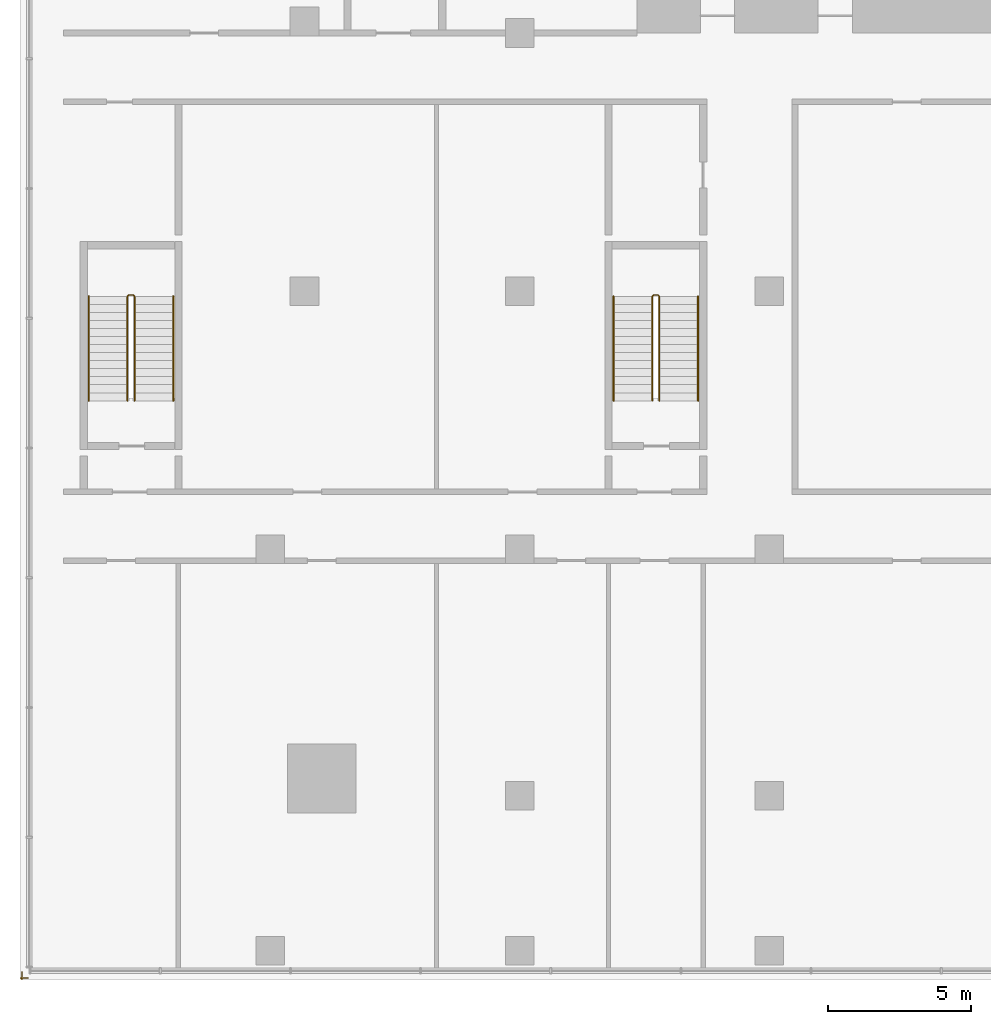
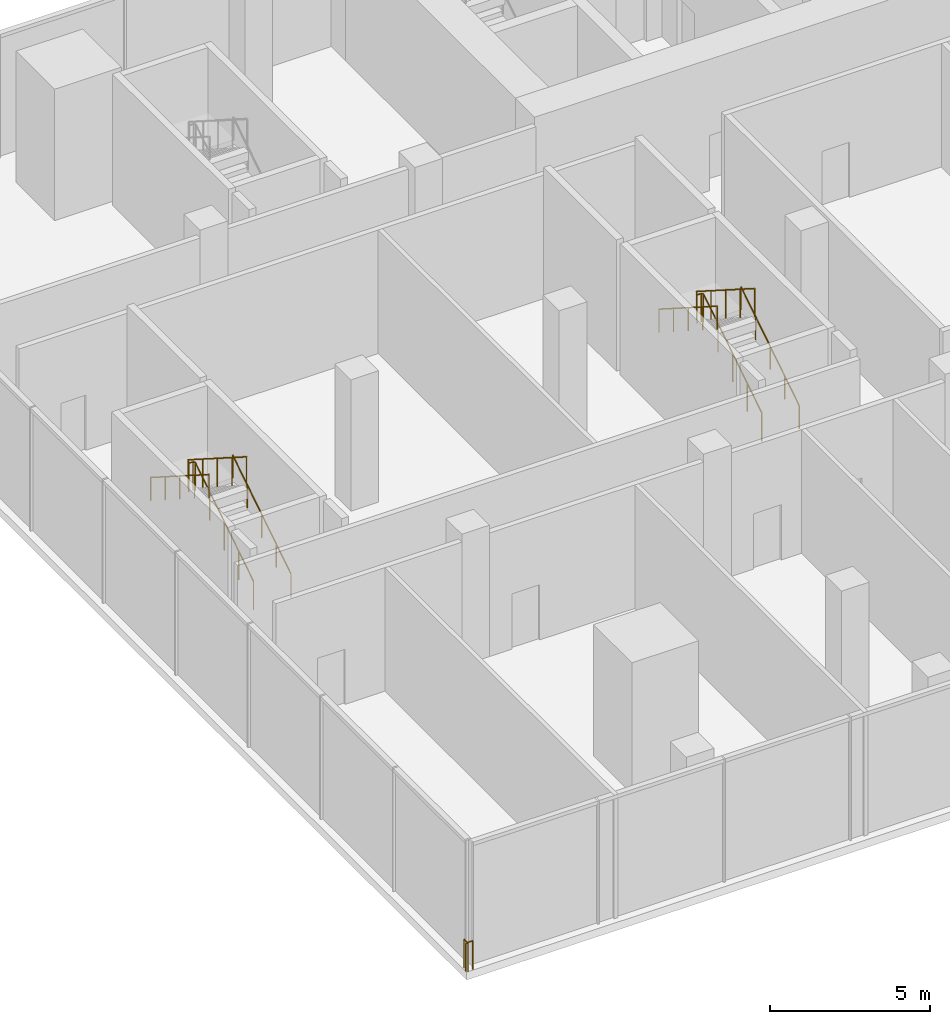
# One storey, part 17 of 20: 7 railings.
"""IFC4 building model written with IfcOpenShell, lengths in metres."""

from ifc_helpers import new_model, si_unit, direction, frame, origin, origin_2d, place, context, subcontext, project, spatial, circle, extrude, material, type_object, element, save


model = new_model("IFC4")

# Units and contexts
model_context = context("Model", 3, precision=1e-05, world=origin(), true_north=direction((0.0, 1.0)))
body_context = subcontext(model_context, "Body", "Model", "MODEL_VIEW")
ifc_project = project(units=[si_unit("LENGTHUNIT", "METRE"), si_unit("AREAUNIT", "SQUARE_METRE"), si_unit("VOLUMEUNIT", "CUBIC_METRE"), si_unit("PLANEANGLEUNIT", "RADIAN"), si_unit("MASSUNIT", "GRAM", prefix="KILO")], contexts=[model_context])

# Site, building, storey
site_placement = place(None, origin())
site = spatial("IfcSite", under=ifc_project, at=site_placement, CompositionType="ELEMENT")
building_placement = place(site_placement, origin())
building = spatial("IfcBuilding", under=site, at=building_placement, Name="Bicima Exchange Tower", CompositionType="ELEMENT")
storey_placement = place(building_placement, frame((0.0, 0.0, 25.0)))
storey = spatial("IfcBuildingStorey", under=building, at=storey_placement, Name="L04", CompositionType="ELEMENT", Elevation=25.0)

# Railings
ifc_material_1 = material(Name="Stainless steel and bonded safety glass", Category="steel")
railing_type_1 = type_object("IfcRailingType", Name="Edge guard 1100", PredefinedType="GUARDRAIL", material=ifc_material_1)
railing_1_placement = place(storey_placement, frame((-43.25, -45.949951171875, 0.0)))
element("IfcRailing", 1, at=railing_1_placement, inside=storey, type_object=railing_type_1, Name="Edge guard L04 16", PredefinedType="GUARDRAIL", context=body_context, shape_type="SweptSolid", body=[
    extrude(circle(Radius=0.02392578125, at=origin_2d()), frame((0.0, 0.0, 1.076171875), z_axis=(-1.0, 0.0, 0.0), x_axis=(0.0, -1.0, 0.0)), (0.0, 0.0, 1.0), 0.25),
    extrude(circle(Radius=0.02392578125, at=origin_2d()), frame((-0.25, 0.0, 1.076171875), z_axis=(0.707106781187, -0.707106781187, 0.0), x_axis=(0.707106781187, 0.707106781187, 0.0)), (0.0, 0.0, 1.0), 0.07080078125),
    extrude(circle(Radius=0.02392578125, at=origin_2d()), frame((-0.199951171875, -0.050048828125, 1.076171875), z_axis=(0.0, 1.0, 0.0), x_axis=(-1.0, 0.0, 0.0)), (0.0, 0.0, 1.0), 0.25),
    extrude(circle(Radius=0.02099609375, at=origin_2d()), origin(), (0.0, 0.0, 1.0), 1.052001953125),
    extrude(circle(Radius=0.02099609375, at=origin_2d()), frame((-0.25, 0.0, 0.0)), (0.0, 0.0, 1.0), 1.052001953125),
    extrude(circle(Radius=0.02099609375, at=origin_2d()), frame((-0.199951171875, -0.050048828125, 0.0)), (0.0, 0.0, 1.0), 1.052001953125),
    extrude(circle(Radius=0.02099609375, at=origin_2d()), frame((-0.199951171875, 0.199951171875, 0.0)), (0.0, 0.0, 1.0), 1.052001953125),
])
ifc_material_2 = material(Name="Stainless steel", Category="steel")
railing_type_2 = type_object("IfcRailingType", Name="Stair guard 1100", PredefinedType="GUARDRAIL", material=ifc_material_2)
railing_2_placement = place(storey_placement, frame((-39.52490234375, -25.824951171875, 0.178466796875)))
element("IfcRailing", 2, at=railing_2_placement, inside=storey, type_object=railing_type_2, Name="L04 PS-W stair guard 1", PredefinedType="GUARDRAIL", context=body_context, shape_type="SweptSolid", body=[
    extrude(circle(Radius=0.02392578125, at=origin_2d()), frame((0.0, 0.0, 1.076171875), z_axis=(0.0, 0.843111507901, 0.53773877045), x_axis=(-1.0, 0.0, 0.0)), (0.0, 0.0, 1.0), 4.317138671875),
    extrude(circle(Radius=0.02392578125, at=origin_2d()), frame((0.0, 3.639892578125, 3.3974609375), z_axis=(-0.707106781187, 0.707106781187, 0.0), x_axis=(-0.707106781187, -0.707106781187, 0.0)), (0.0, 0.0, 1.0), 0.07080078125),
    extrude(circle(Radius=0.02392578125, at=origin_2d()), frame((-0.050048828125, 3.68994140625, 3.3974609375), z_axis=(-1.0, 0.0, 0.0), x_axis=(0.0, -1.0, 0.0)), (0.0, 0.0, 1.0), 0.150146484375),
    extrude(circle(Radius=0.02392578125, at=origin_2d()), frame((-0.2001953125, 3.68994140625, 3.3974609375), z_axis=(-0.25949872427, -0.26077077684, 0.929870428634), x_axis=(0.708833529934, -0.705375805398, 0.0)), (0.0, 0.0, 1.0), 0.19189453125),
    extrude(circle(Radius=0.02392578125, at=origin_2d()), frame((-0.25, 3.639892578125, 3.576171875), z_axis=(0.0, -0.843111507901, 0.53773877045), x_axis=(1.0, 0.0, 0.0)), (0.0, 0.0, 1.0), 4.317138671875),
    extrude(circle(Radius=0.02099609375, at=origin_2d()), origin(), (0.0, 0.0, 1.0), 1.052001953125),
    extrude(circle(Radius=0.02099609375, at=origin_2d()), frame((0.0, 0.909912109375, 0.580322265625)), (0.0, 0.0, 1.0), 1.052001953125),
    extrude(circle(Radius=0.02099609375, at=origin_2d()), frame((0.0, 1.81982421875, 1.16064453125)), (0.0, 0.0, 1.0), 1.052001953125),
    extrude(circle(Radius=0.02099609375, at=origin_2d()), frame((0.0, 2.72998046875, 1.7412109375)), (0.0, 0.0, 1.0), 1.052001953125),
    extrude(circle(Radius=0.02099609375, at=origin_2d()), frame((0.0, 3.639892578125, 2.321533203125)), (0.0, 0.0, 1.0), 1.052001953125),
    extrude(circle(Radius=0.02099609375, at=origin_2d()), frame((-0.050048828125, 3.68994140625, 2.321533203125)), (0.0, 0.0, 1.0), 1.052001953125),
    extrude(circle(Radius=0.02099609375, at=origin_2d()), frame((-0.2001953125, 3.68994140625, 2.321533203125)), (0.0, 0.0, 1.0), 1.052001953125),
    extrude(circle(Radius=0.02099609375, at=origin_2d()), frame((-0.25, 3.639892578125, 2.5)), (0.0, 0.0, 1.0), 1.052001953125),
    extrude(circle(Radius=0.02099609375, at=origin_2d()), frame((-0.25, 2.72998046875, 3.080322265625)), (0.0, 0.0, 1.0), 1.052001953125),
    extrude(circle(Radius=0.02099609375, at=origin_2d()), frame((-0.25, 1.81982421875, 3.66064453125)), (0.0, 0.0, 1.0), 1.052001953125),
    extrude(circle(Radius=0.02099609375, at=origin_2d()), frame((-0.25, 0.909912109375, 4.2412109375)), (0.0, 0.0, 1.0), 1.052001953125),
    extrude(circle(Radius=0.02099609375, at=origin_2d()), frame((-0.25, 0.0, 4.821533203125)), (0.0, 0.0, 1.0), 1.052001953125),
])
railing_3_placement = place(storey_placement, frame((-21.22509765625, -25.824951171875, 0.178466796875)))
element("IfcRailing", 3, at=railing_3_placement, inside=storey, type_object=railing_type_2, Name="L04 PS-WI stair guard 1", PredefinedType="GUARDRAIL", context=body_context, shape_type="SweptSolid", body=[
    extrude(circle(Radius=0.02392578125, at=origin_2d()), frame((0.0, 0.0, 1.076171875), z_axis=(0.0, 0.843111507901, 0.53773877045), x_axis=(-1.0, 0.0, 0.0)), (0.0, 0.0, 1.0), 4.317138671875),
    extrude(circle(Radius=0.02392578125, at=origin_2d()), frame((0.0, 3.639892578125, 3.3974609375), z_axis=(-0.705375805398, 0.708833529934, 0.0), x_axis=(-0.708833529934, -0.705375805398, 0.0)), (0.0, 0.0, 1.0), 0.070556640625),
    extrude(circle(Radius=0.02392578125, at=origin_2d()), frame((-0.0498046875, 3.68994140625, 3.3974609375), z_axis=(-1.0, 0.0, 0.0), x_axis=(0.0, -1.0, 0.0)), (0.0, 0.0, 1.0), 0.150146484375),
    extrude(circle(Radius=0.02392578125, at=origin_2d()), frame((-0.199951171875, 3.68994140625, 3.3974609375), z_axis=(-0.260684529273, -0.260684529273, 0.929562882432), x_axis=(0.707106781187, -0.707106781187, 0.0)), (0.0, 0.0, 1.0), 0.19189453125),
    extrude(circle(Radius=0.02392578125, at=origin_2d()), frame((-0.25, 3.639892578125, 3.576171875), z_axis=(0.0, -0.843111507901, 0.53773877045), x_axis=(1.0, 0.0, 0.0)), (0.0, 0.0, 1.0), 4.317138671875),
    extrude(circle(Radius=0.02099609375, at=origin_2d()), origin(), (0.0, 0.0, 1.0), 1.052001953125),
    extrude(circle(Radius=0.02099609375, at=origin_2d()), frame((0.0, 0.909912109375, 0.580322265625)), (0.0, 0.0, 1.0), 1.052001953125),
    extrude(circle(Radius=0.02099609375, at=origin_2d()), frame((0.0, 1.81982421875, 1.16064453125)), (0.0, 0.0, 1.0), 1.052001953125),
    extrude(circle(Radius=0.02099609375, at=origin_2d()), frame((0.0, 2.72998046875, 1.7412109375)), (0.0, 0.0, 1.0), 1.052001953125),
    extrude(circle(Radius=0.02099609375, at=origin_2d()), frame((0.0, 3.639892578125, 2.321533203125)), (0.0, 0.0, 1.0), 1.052001953125),
    extrude(circle(Radius=0.02099609375, at=origin_2d()), frame((-0.0498046875, 3.68994140625, 2.321533203125)), (0.0, 0.0, 1.0), 1.052001953125),
    extrude(circle(Radius=0.02099609375, at=origin_2d()), frame((-0.199951171875, 3.68994140625, 2.321533203125)), (0.0, 0.0, 1.0), 1.052001953125),
    extrude(circle(Radius=0.02099609375, at=origin_2d()), frame((-0.25, 3.639892578125, 2.5)), (0.0, 0.0, 1.0), 1.052001953125),
    extrude(circle(Radius=0.02099609375, at=origin_2d()), frame((-0.25, 2.72998046875, 3.080322265625)), (0.0, 0.0, 1.0), 1.052001953125),
    extrude(circle(Radius=0.02099609375, at=origin_2d()), frame((-0.25, 1.81982421875, 3.66064453125)), (0.0, 0.0, 1.0), 1.052001953125),
    extrude(circle(Radius=0.02099609375, at=origin_2d()), frame((-0.25, 0.909912109375, 4.2412109375)), (0.0, 0.0, 1.0), 1.052001953125),
    extrude(circle(Radius=0.02099609375, at=origin_2d()), frame((-0.25, 0.0, 4.821533203125)), (0.0, 0.0, 1.0), 1.052001953125),
])
railing_type_3 = type_object("IfcRailingType", Name="Stair handrail 900", PredefinedType="HANDRAIL", material=ifc_material_2)
railing_4_placement = place(storey_placement, frame((-38.175048828125, -25.824951171875, 0.178466796875)))
element("IfcRailing", 4, at=railing_4_placement, inside=storey, type_object=railing_type_3, Name="L04 PS-W stair handrail 1", PredefinedType="HANDRAIL", context=body_context, shape_type="SweptSolid", body=[
    extrude(circle(Radius=0.02392578125, at=origin_2d()), frame((0.0, 0.0, 0.8759765625), z_axis=(0.0, 0.843111507901, 0.53773877045), x_axis=(-1.0, 0.0, 0.0)), (0.0, 0.0, 1.0), 4.317138671875),
    extrude(circle(Radius=0.02099609375, at=origin_2d()), origin(), (0.0, 0.0, 1.0), 0.851806640625),
    extrude(circle(Radius=0.02099609375, at=origin_2d()), frame((0.0, 0.909912109375, 0.580322265625)), (0.0, 0.0, 1.0), 0.851806640625),
    extrude(circle(Radius=0.02099609375, at=origin_2d()), frame((0.0, 1.81982421875, 1.16064453125)), (0.0, 0.0, 1.0), 0.851806640625),
    extrude(circle(Radius=0.02099609375, at=origin_2d()), frame((0.0, 2.72998046875, 1.7412109375)), (0.0, 0.0, 1.0), 0.851806640625),
    extrude(circle(Radius=0.02099609375, at=origin_2d()), frame((0.0, 3.639892578125, 2.321533203125)), (0.0, 0.0, 1.0), 0.851806640625),
])
railing_5_placement = place(storey_placement, frame((-41.125, -22.18505859375, 2.678466796875)))
element("IfcRailing", 5, at=railing_5_placement, inside=storey, type_object=railing_type_3, Name="L04 PS-W stair handrail 2", PredefinedType="HANDRAIL", context=body_context, shape_type="SweptSolid", body=[
    extrude(circle(Radius=0.02392578125, at=origin_2d()), frame((0.0, 0.0, 0.8759765625), z_axis=(0.0, -0.843111507901, 0.53773877045), x_axis=(1.0, 0.0, 0.0)), (0.0, 0.0, 1.0), 4.317138671875),
    extrude(circle(Radius=0.02099609375, at=origin_2d()), origin(), (0.0, 0.0, 1.0), 0.851806640625),
    extrude(circle(Radius=0.02099609375, at=origin_2d()), frame((0.0, -0.909912109375, 0.580322265625)), (0.0, 0.0, 1.0), 0.851806640625),
    extrude(circle(Radius=0.02099609375, at=origin_2d()), frame((0.0, -1.81982421875, 1.16064453125)), (0.0, 0.0, 1.0), 0.851806640625),
    extrude(circle(Radius=0.02099609375, at=origin_2d()), frame((0.0, -2.72998046875, 1.7412109375)), (0.0, 0.0, 1.0), 0.851806640625),
    extrude(circle(Radius=0.02099609375, at=origin_2d()), frame((0.0, -3.639892578125, 2.321533203125)), (0.0, 0.0, 1.0), 0.851806640625),
])
railing_6_placement = place(storey_placement, frame((-19.875, -25.824951171875, 0.178466796875)))
element("IfcRailing", 6, at=railing_6_placement, inside=storey, type_object=railing_type_3, Name="L04 PS-WI stair handrail 1", PredefinedType="HANDRAIL", context=body_context, shape_type="SweptSolid", body=[
    extrude(circle(Radius=0.02392578125, at=origin_2d()), frame((0.0, 0.0, 0.8759765625), z_axis=(0.0, 0.843111507901, 0.53773877045), x_axis=(-1.0, 0.0, 0.0)), (0.0, 0.0, 1.0), 4.317138671875),
    extrude(circle(Radius=0.02099609375, at=origin_2d()), origin(), (0.0, 0.0, 1.0), 0.851806640625),
    extrude(circle(Radius=0.02099609375, at=origin_2d()), frame((0.0, 0.909912109375, 0.580322265625)), (0.0, 0.0, 1.0), 0.851806640625),
    extrude(circle(Radius=0.02099609375, at=origin_2d()), frame((0.0, 1.81982421875, 1.16064453125)), (0.0, 0.0, 1.0), 0.851806640625),
    extrude(circle(Radius=0.02099609375, at=origin_2d()), frame((0.0, 2.72998046875, 1.7412109375)), (0.0, 0.0, 1.0), 0.851806640625),
    extrude(circle(Radius=0.02099609375, at=origin_2d()), frame((0.0, 3.639892578125, 2.321533203125)), (0.0, 0.0, 1.0), 0.851806640625),
])
railing_7_placement = place(storey_placement, frame((-22.824951171875, -22.18505859375, 2.678466796875)))
element("IfcRailing", 7, at=railing_7_placement, inside=storey, type_object=railing_type_3, Name="L04 PS-WI stair handrail 2", PredefinedType="HANDRAIL", context=body_context, shape_type="SweptSolid", body=[
    extrude(circle(Radius=0.02392578125, at=origin_2d()), frame((0.0, 0.0, 0.8759765625), z_axis=(0.0, -0.843111507901, 0.53773877045), x_axis=(1.0, 0.0, 0.0)), (0.0, 0.0, 1.0), 4.317138671875),
    extrude(circle(Radius=0.02099609375, at=origin_2d()), origin(), (0.0, 0.0, 1.0), 0.851806640625),
    extrude(circle(Radius=0.02099609375, at=origin_2d()), frame((0.0, -0.909912109375, 0.580322265625)), (0.0, 0.0, 1.0), 0.851806640625),
    extrude(circle(Radius=0.02099609375, at=origin_2d()), frame((0.0, -1.81982421875, 1.16064453125)), (0.0, 0.0, 1.0), 0.851806640625),
    extrude(circle(Radius=0.02099609375, at=origin_2d()), frame((0.0, -2.72998046875, 1.7412109375)), (0.0, 0.0, 1.0), 0.851806640625),
    extrude(circle(Radius=0.02099609375, at=origin_2d()), frame((0.0, -3.639892578125, 2.321533203125)), (0.0, 0.0, 1.0), 0.851806640625),
])

save(model, "model.ifc")
